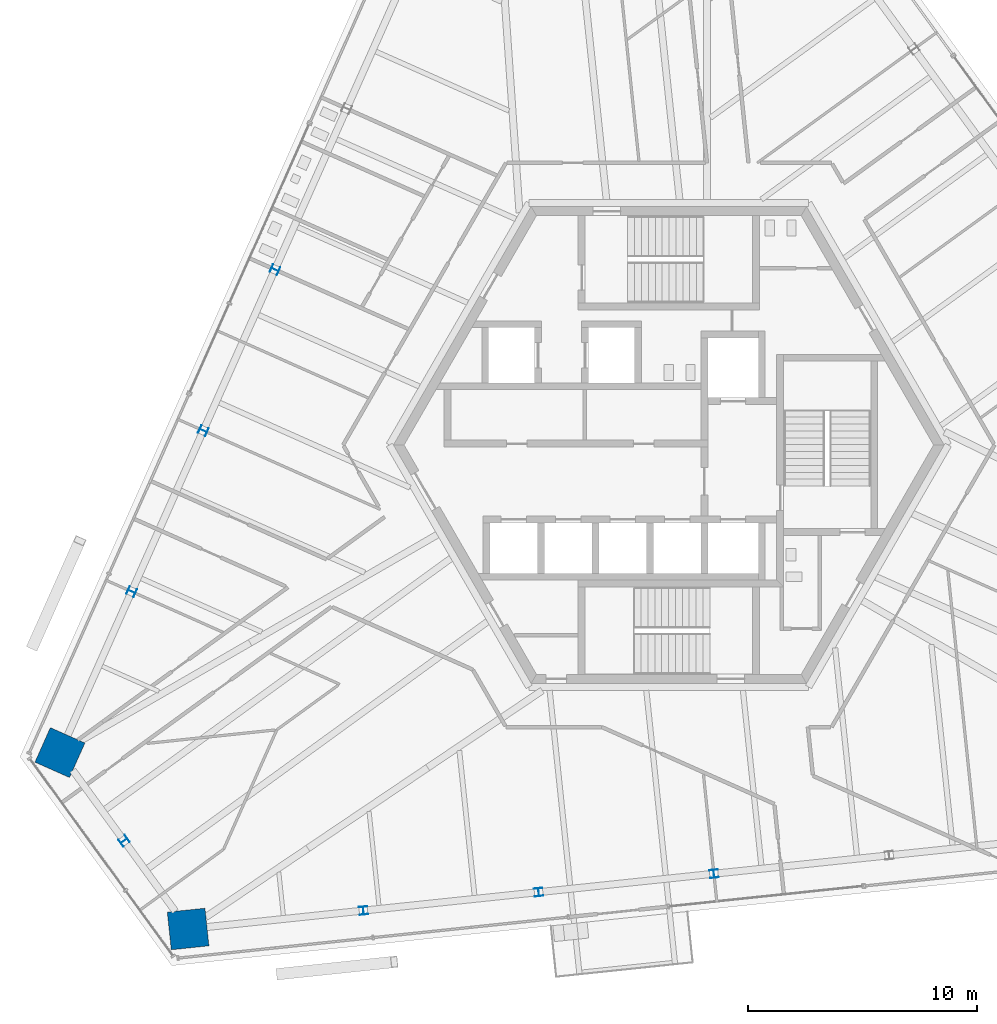
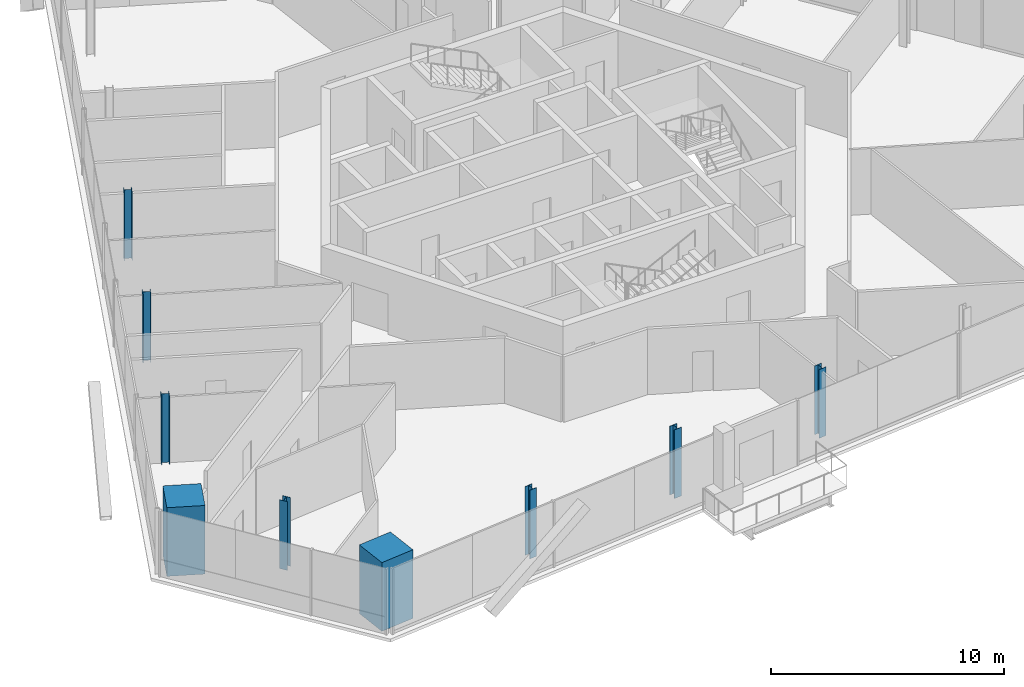
# One storey, part 1 of 19: 9 columns.
"""IFC4 building model written with IfcOpenShell, lengths in metres."""

from ifc_helpers import new_model, si_unit, direction, frame, origin, origin_2d, place, context, subcontext, project, spatial, rectangle, i_section, extrude, source, transform, mapped, material, material_profile, profile_set, type_object, element, save


model = new_model("IFC4")

# Units and contexts
model_context = context("Model", 3, precision=1e-05, world=origin(), true_north=direction((0.0, 1.0)))
body_context = subcontext(model_context, "Body", "Model", "MODEL_VIEW")
ifc_project = project(units=[si_unit("LENGTHUNIT", "METRE"), si_unit("AREAUNIT", "SQUARE_METRE"), si_unit("VOLUMEUNIT", "CUBIC_METRE"), si_unit("PLANEANGLEUNIT", "RADIAN"), si_unit("MASSUNIT", "GRAM", prefix="KILO")], contexts=[model_context])

# Site, building, storey
site_placement = place(None, origin())
site = spatial("IfcSite", under=ifc_project, at=site_placement, CompositionType="ELEMENT")
building_placement = place(site_placement, origin())
building = spatial("IfcBuilding", under=site, at=building_placement, Name="Triune Harvest Tower", CompositionType="ELEMENT")
storey_placement = place(building_placement, frame((0.0, 0.0, 223.300048828125)))
storey = spatial("IfcBuildingStorey", under=building, at=storey_placement, Name="L58", CompositionType="ELEMENT", Elevation=223.300048828125)

# Columns
ifc_material_1 = material(Name="Concrete 70 MPa", Category="concrete")
ifc_material_profile_1 = material_profile(ifc_material_1, rectangle(XDim=1.64990234375, YDim=1.64990234375, at=origin_2d()), Name="Composite 1650x1650")
ifc_profile_set_1 = profile_set([ifc_material_profile_1], Name="Concrete 70 MPa")
column_type_1 = type_object("IfcColumnType", Name="MC-6 Mega column Composite 1650x1650", PredefinedType="COLUMN", material=ifc_profile_set_1)
shared_shape_1 = source(origin(), body_context, "Body", "SweptSolid", [
    extrude(rectangle(XDim=1.64990234375, YDim=1.64990234375, at=origin_2d()), origin(), (0.0, 0.0, 1.0), 3.599853515625),
])
for number, where, z_axis, x_axis, name in (
    (1, (-26.5341796875, -13.40478515625, 0.0), (0.0, 0.0, 1.0), (-0.406738237513, -0.913544747752, 0.0), "col/L58/M14"),
    (2, (-20.9482421875, -21.09326171875, 0.0), (0.0, 0.0, 1.0), (0.99452171293, 0.104530199036, 0.0), "col/L58/M16"),
):
    element("IfcColumn", number, at=place(storey_placement, frame(where, z_axis=z_axis, x_axis=x_axis)), inside=storey, type_object=column_type_1, Name=name, PredefinedType="COLUMN", context=body_context, shape_type="MappedRepresentation", body=[
        mapped(shared_shape_1, transform((0.0, 0.0, 0.0), scale=1.0)),
    ])
ifc_material_2 = material(Name="Steel ASTM A992 Gr 50", Category="steel")
ifc_material_profile_2 = material_profile(ifc_material_2, i_section(OverallWidth=0.368408203125, OverallDepth=0.355712890625, WebThickness=0.01123046875, FlangeThickness=0.01806640625, at=origin_2d()), Name="W14x90")
ifc_profile_set_2 = profile_set([ifc_material_profile_2], Name="Steel ASTM A992 Gr 50")
column_type_2 = type_object("IfcColumnType", Name="PC-6 Perimeter column W14x90", PredefinedType="COLUMN", material=ifc_profile_set_2)
shared_shape_2 = source(origin(), body_context, "Body", "SweptSolid", [
    extrude(i_section(OverallWidth=0.368408203125, OverallDepth=0.355712890625, WebThickness=0.01123046875, FlangeThickness=0.01806640625, at=origin_2d()), origin(), (0.0, 0.0, 1.0), 3.599853515625),
])
for number, where, z_axis, x_axis, name in (
    (3, (-17.163818359375, 7.641845703125, 0.0), (0.0, 0.0, 1.0), (-0.406738237513, -0.913544747752, 0.0), "col/L58/P11"),
    (4, (-20.287109375, 0.626220703125, 0.0), (0.0, 0.0, 1.0), (-0.406738237513, -0.913544747752, 0.0), "col/L58/P12"),
    (5, (-23.41064453125, -6.389404296875, 0.0), (0.0, 0.0, 1.0), (-0.406738237513, -0.913544747752, 0.0), "col/L58/P13"),
    (6, (-13.310791015625, -20.29052734375, 0.0), (0.0, 0.0, 1.0), (0.99452171293, 0.104530199036, 0.0), "col/L58/P17"),
    (7, (-5.673583984375, -19.48779296875, 0.0), (0.0, 0.0, 1.0), (0.99452171293, 0.104530199036, 0.0), "col/L58/P18"),
    (8, (1.9638671875, -18.68505859375, 0.0), (0.0, 0.0, 1.0), (0.99452171293, 0.104530199036, 0.0), "col/L58/P19"),
):
    element("IfcColumn", number, at=place(storey_placement, frame(where, z_axis=z_axis, x_axis=x_axis)), inside=storey, type_object=column_type_2, Name=name, PredefinedType="COLUMN", context=body_context, shape_type="MappedRepresentation", body=[
        mapped(shared_shape_2, transform((0.0, 0.0, 0.0), scale=1.0)),
    ])
shared_shape_3 = source(origin(), body_context, "Body", "SweptSolid", [
    extrude(i_section(OverallWidth=0.368408203125, OverallDepth=0.355712890625, WebThickness=0.01123046875, FlangeThickness=0.01806640625, at=origin_2d()), origin(), (0.0, 0.0, 1.0), 3.60009765625),
])
column_placement = place(storey_placement, frame((-23.7412109375, -17.2490234375, 1.199951171875), z_axis=(0.0, 0.0, 1.0), x_axis=(0.587785252292, -0.809016994375, 0.0)))
element("IfcColumn", 9, at=column_placement, inside=storey, type_object=column_type_2, Name="col/L58/P15", PredefinedType="COLUMN", context=body_context, shape_type="MappedRepresentation", body=[
    mapped(shared_shape_3, transform((0.0, 0.0, 0.0), scale=1.0)),
])

save(model, "model.ifc")
